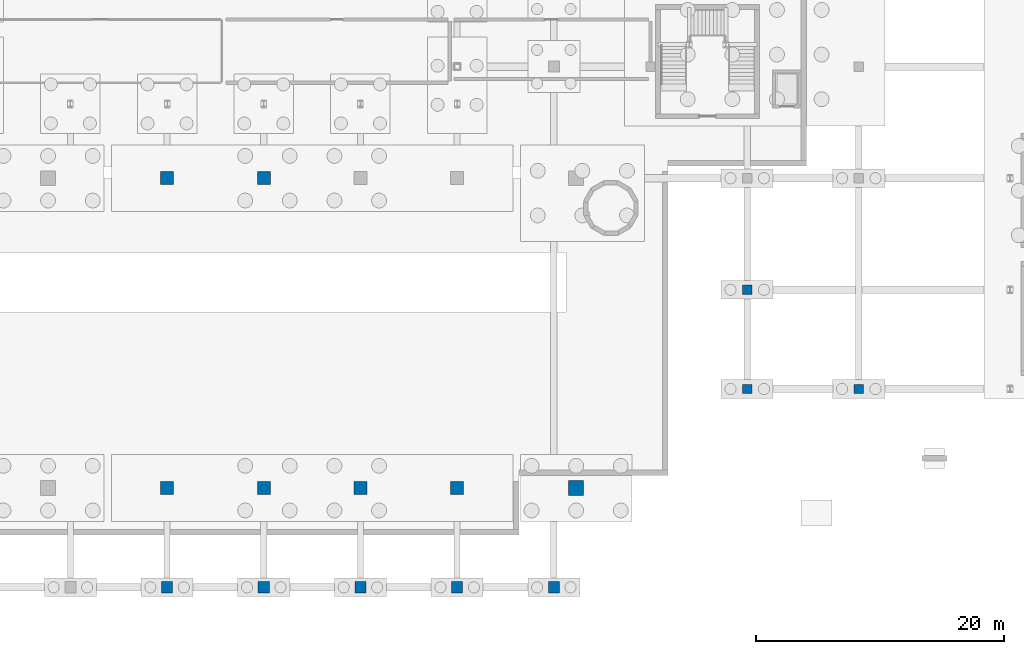
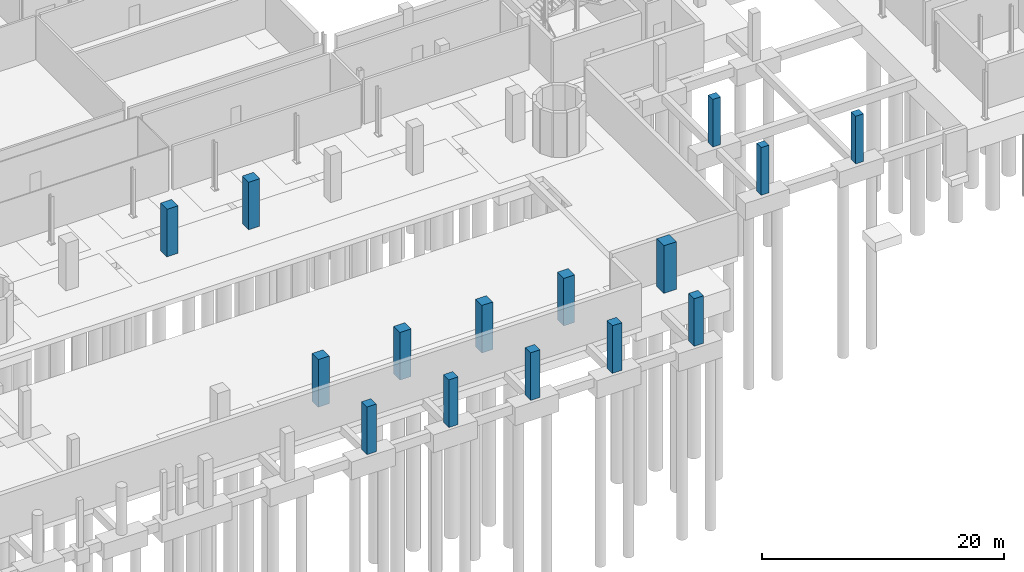
# One storey, part 12 of 32: 15 columns.
"""IFC4 building model written with IfcOpenShell, lengths in metres."""

from ifc_helpers import new_model, si_unit, derived_unit, direction, frame, origin, origin_2d, place, context, subcontext, project, spatial, rectangle, extrude, material, material_profile, profile_set, type_object, element, save


model = new_model("IFC4")

# Units and contexts
model_context = context("Model", 3, precision=1e-05, world=origin(), true_north=direction((0.0, 1.0)))
body_context = subcontext(model_context, "Body", "Model", "MODEL_VIEW")
ifc_project = project(units=[si_unit("LENGTHUNIT", "METRE"), si_unit("AREAUNIT", "SQUARE_METRE"), si_unit("VOLUMEUNIT", "CUBIC_METRE"), si_unit("PLANEANGLEUNIT", "RADIAN"), si_unit("MASSUNIT", "GRAM", prefix="KILO"), derived_unit("THERMALTRANSMITTANCEUNIT", [(si_unit("POWERUNIT", "WATT"), 1), (si_unit("LENGTHUNIT", "METRE"), -2), (si_unit("THERMODYNAMICTEMPERATUREUNIT", "KELVIN"), -1)])], contexts=[model_context])

# Site, building, storey
site_placement = place(None, origin())
site = spatial("IfcSite", under=ifc_project, at=site_placement, CompositionType="ELEMENT")
building_placement = place(site_placement, origin())
building = spatial("IfcBuilding", under=site, at=building_placement, Name="Nallur Shell Playhouse", CompositionType="ELEMENT")
storey_placement = place(building_placement, frame((0.0, 0.0, -4.800048828125)))
storey = spatial("IfcBuildingStorey", under=building, at=storey_placement, Name="B1", CompositionType="ELEMENT", Elevation=-4.800048828125)

# Columns
ifc_material_1 = material(Name="Concrete M45", Category="concrete")
ifc_material_profile_1 = material_profile(ifc_material_1, rectangle(XDim=1.050048828125, YDim=1.050048828125, at=origin_2d()), Name="RC 1050x1050")
ifc_profile_set_1 = profile_set([ifc_material_profile_1], Name="Concrete M45")
column_type_1 = type_object("IfcColumnType", Name="CL-RC-1050", PredefinedType="COLUMN", material=ifc_profile_set_1)
for number, where, z_axis, x_axis, name in (
    (1, (79.60009765625, 16.0, 0.0), (0.0, 0.0, 1.0), (1.0, 0.0, 0.0), "Column MC2S (B1)"),
    (2, (79.60009765625, 41.0, 0.0), (0.0, 0.0, 1.0), (1.0, 0.0, 0.0), "Column MC2N (B1)"),
    (3, (87.39990234375, 16.0, 0.0), (0.0, 0.0, 1.0), (1.0, 0.0, 0.0), "Column MC3S (B1)"),
    (4, (87.39990234375, 41.0, 0.0), (0.0, 0.0, 1.0), (1.0, 0.0, 0.0), "Column MC3N (B1)"),
    (5, (95.199951171875, 16.0, 0.0), (0.0, 0.0, 1.0), (1.0, 0.0, 0.0), "Column MC4S (B1)"),
    (6, (103.0, 16.0, 0.0), (0.0, 0.0, 1.0), (1.0, 0.0, 0.0), "Column MC5S (B1)"),
):
    element("IfcColumn", number, at=place(storey_placement, frame(where, z_axis=z_axis, x_axis=x_axis)), inside=storey, type_object=column_type_1, Name=name, PredefinedType="COLUMN", context=body_context, shape_type="SweptSolid", body=[
        extrude(rectangle(XDim=1.050048828125, YDim=1.050048828125, at=origin_2d()), origin(), (0.0, 0.0, 1.0), 4.800048828125),
    ])
ifc_material_profile_2 = material_profile(ifc_material_1, rectangle(XDim=1.199951171875, YDim=1.199951171875, at=origin_2d()), Name="RC 1200x1200")
ifc_profile_set_2 = profile_set([ifc_material_profile_2], Name="Concrete M45")
column_type_2 = type_object("IfcColumnType", Name="CL-RC-1200", PredefinedType="COLUMN", material=ifc_profile_set_2)
column_placement = place(storey_placement, frame((112.60009765625, 16.0, 0.0), z_axis=(0.0, 0.0, 1.0), x_axis=(1.0, 0.0, 0.0)))
element("IfcColumn", 7, at=column_placement, inside=storey, type_object=column_type_2, Name="Column MC6S (B1)", PredefinedType="COLUMN", context=body_context, shape_type="SweptSolid", body=[
    extrude(rectangle(XDim=1.199951171875, YDim=1.199951171875, at=origin_2d()), origin(), (0.0, 0.0, 1.0), 4.800048828125),
])
ifc_material_2 = material(Name="Concrete M40", Category="concrete")
ifc_material_profile_3 = material_profile(ifc_material_2, rectangle(XDim=0.75, YDim=0.75, at=origin_2d()), Name="RC 750x750")
ifc_profile_set_3 = profile_set([ifc_material_profile_3], Name="Concrete M40")
column_type_3 = type_object("IfcColumnType", Name="CL-RC-750", PredefinedType="COLUMN", material=ifc_profile_set_3)
for number, where, z_axis, x_axis, name in (
    (8, (126.39990234375, 24.0, 0.0), (0.0, 0.0, 1.0), (1.0, 0.0, 0.0), "Column 16-C (B1)"),
    (9, (126.39990234375, 32.0, 0.0), (0.0, 0.0, 1.0), (1.0, 0.0, 0.0), "Column 16-D (B1)"),
    (10, (135.39990234375, 24.0, 0.0), (0.0, 0.0, 1.0), (1.0, 0.0, 0.0), "Column 17-C (B1)"),
):
    element("IfcColumn", number, at=place(storey_placement, frame(where, z_axis=z_axis, x_axis=x_axis)), inside=storey, type_object=column_type_3, Name=name, PredefinedType="COLUMN", context=body_context, shape_type="SweptSolid", body=[
        extrude(rectangle(XDim=0.75, YDim=0.75, at=origin_2d()), origin(), (0.0, 0.0, 1.0), 4.800048828125),
    ])
ifc_material_profile_4 = material_profile(ifc_material_2, rectangle(XDim=0.89990234375, YDim=0.89990234375, at=origin_2d()), Name="RC 900x900")
ifc_profile_set_4 = profile_set([ifc_material_profile_4], Name="Concrete M40")
column_type_4 = type_object("IfcColumnType", Name="CL-RC-900", PredefinedType="COLUMN", material=ifc_profile_set_4)
for number, where, z_axis, x_axis, name in (
    (11, (79.60009765625, 8.0, 0.0), (0.0, 0.0, 1.0), (1.0, 0.0, 0.0), "Column 10-A (B1)"),
    (12, (87.39990234375, 8.0, 0.0), (0.0, 0.0, 1.0), (1.0, 0.0, 0.0), "Column 11-A (B1)"),
    (13, (95.199951171875, 8.0, 0.0), (0.0, 0.0, 1.0), (1.0, 0.0, 0.0), "Column 12-A (B1)"),
    (14, (103.0, 8.0, 0.0), (0.0, 0.0, 1.0), (1.0, 0.0, 0.0), "Column 13-A (B1)"),
    (15, (110.800048828125, 8.0, 0.0), (0.0, 0.0, 1.0), (1.0, 0.0, 0.0), "Column 14-A (B1)"),
):
    element("IfcColumn", number, at=place(storey_placement, frame(where, z_axis=z_axis, x_axis=x_axis)), inside=storey, type_object=column_type_4, Name=name, PredefinedType="COLUMN", context=body_context, shape_type="SweptSolid", body=[
        extrude(rectangle(XDim=0.89990234375, YDim=0.89990234375, at=origin_2d()), origin(), (0.0, 0.0, 1.0), 4.800048828125),
    ])

save(model, "model.ifc")
